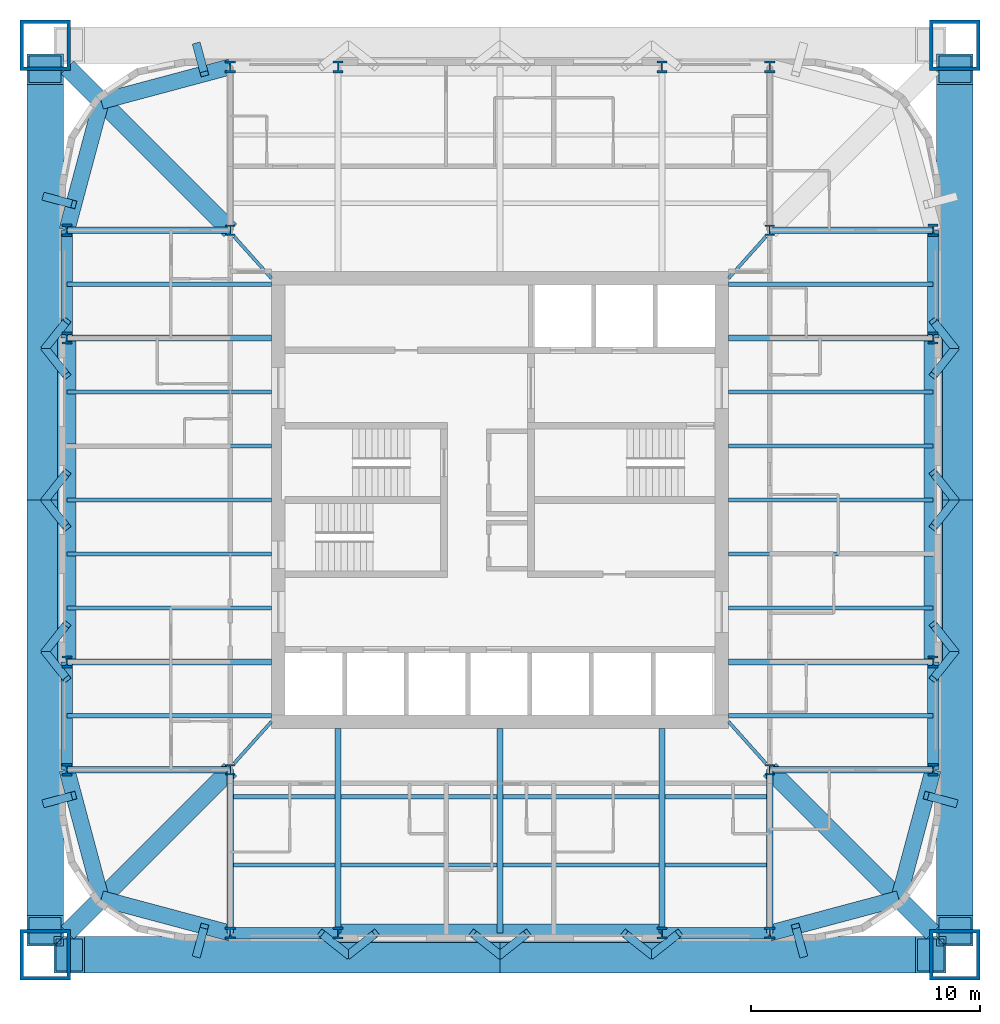
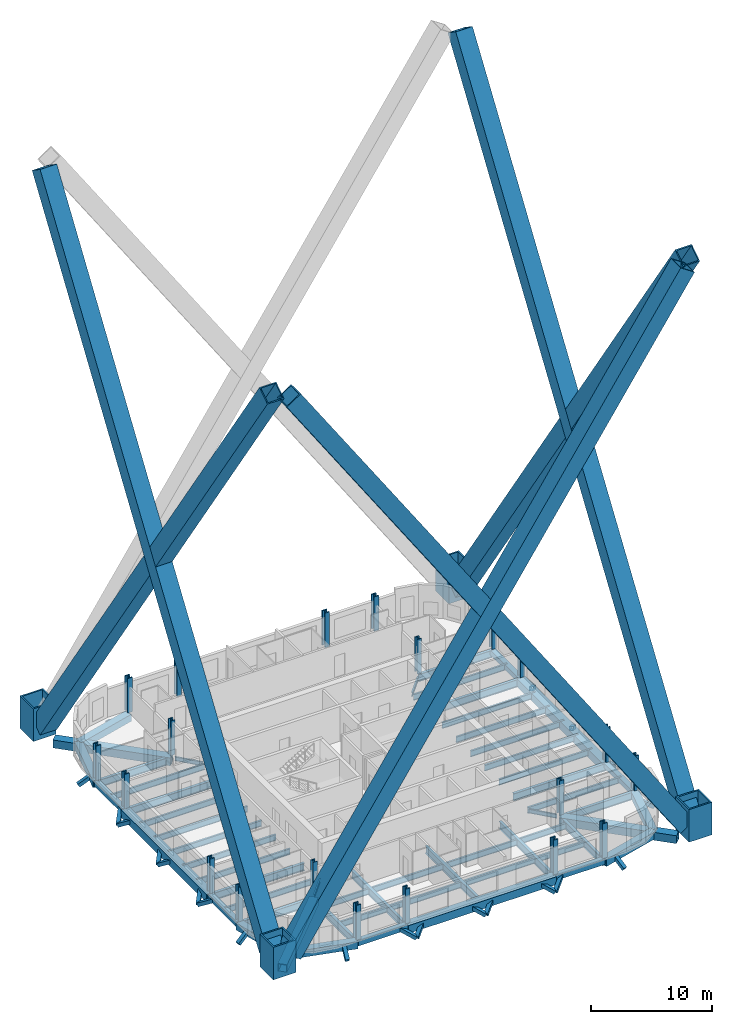
# One storey, part 1 of 9: 81 beams, 24 columns, 6 members.
"""IFC4 building model written with IfcOpenShell, lengths in metres."""

from ifc_helpers import new_model, si_unit, direction, frame, origin, origin_2d, place, context, subcontext, project, spatial, hollow_rectangle, i_section, extrude, clip, halfspace, material, material_profile, profile_set, type_object, element, save


model = new_model("IFC4")

# Units and contexts
model_context = context("Model", 3, precision=1e-05, world=origin(), true_north=direction((0.0, 1.0)))
body_context = subcontext(model_context, "Body", "Model", "MODEL_VIEW")
ifc_project = project(units=[si_unit("LENGTHUNIT", "METRE"), si_unit("AREAUNIT", "SQUARE_METRE"), si_unit("VOLUMEUNIT", "CUBIC_METRE"), si_unit("PLANEANGLEUNIT", "RADIAN"), si_unit("MASSUNIT", "GRAM", prefix="KILO")], contexts=[model_context])

# Site, building, storey
site_placement = place(None, origin())
site = spatial("IfcSite", under=ifc_project, at=site_placement, CompositionType="ELEMENT")
building_placement = place(site_placement, origin())
building = spatial("IfcBuilding", under=site, at=building_placement, Name="Turquesa Mirador Hotel Tower", CompositionType="ELEMENT")
storey_placement = place(building_placement, frame((0.0, 0.0, 161.800048828125)))
storey = spatial("IfcBuildingStorey", under=building, at=storey_placement, Name="L43", CompositionType="ELEMENT", Elevation=161.800048828125)

# Columns
ifc_material_1 = material(Name="Steel ASTM A992 Grade 50", Category="steel")
ifc_material_profile_1 = material_profile(ifc_material_1, i_section(OverallWidth=0.421630859375, OverallDepth=0.46484375, WebThickness=0.044921875, FlangeThickness=0.072509765625, at=origin_2d()), Name="W14X398")
ifc_profile_set_1 = profile_set([ifc_material_profile_1], Name="Steel ASTM A992 Grade 50")
column_type_1 = type_object("IfcColumnType", Name="COLUMN W14X398", PredefinedType="COLUMN", material=ifc_profile_set_1)
for number, where, z_axis, x_axis, name in (
    (1, (43.199951171875, 33.199951171875, 0.0), (0.0, 0.0, 1.0), (1.0, 0.0, 0.0), "COL-L43-K--11.80--11.80"),
    (2, (43.199951171875, 56.800048828125, 0.0), (0.0, 0.0, 1.0), (1.0, 0.0, 0.0), "COL-L43-K--11.80-+11.80"),
    (3, (66.800048828125, 33.199951171875, 0.0), (0.0, 0.0, 1.0), (1.0, 0.0, 0.0), "COL-L43-K-+11.80--11.80"),
    (4, (66.800048828125, 56.800048828125, 0.0), (0.0, 0.0, 1.0), (1.0, 0.0, 0.0), "COL-L43-K-+11.80-+11.80"),
):
    element("IfcColumn", number, at=place(storey_placement, frame(where, z_axis=z_axis, x_axis=x_axis)), inside=storey, type_object=column_type_1, Name=name, PredefinedType="COLUMN", context=body_context, shape_type="SweptSolid", body=[
        extrude(i_section(OverallWidth=0.421630859375, OverallDepth=0.46484375, WebThickness=0.044921875, FlangeThickness=0.072509765625, at=origin_2d()), origin(), (0.0, 0.0, 1.0), 3.5),
    ])
ifc_material_2 = material(Name="Steel ASTM A992 Grade 50", Category="steel")
ifc_material_profile_2 = material_profile(ifc_material_2, i_section(OverallWidth=0.44189453125, OverallDepth=0.53076171875, WebThickness=0.06591796875, FlangeThickness=0.105712890625, at=origin_2d()), Name="W14X605")
ifc_profile_set_2 = profile_set([ifc_material_profile_2], Name="Steel ASTM A992 Grade 50")
column_type_2 = type_object("IfcColumnType", Name="COLUMN W14X605", PredefinedType="COLUMN", material=ifc_profile_set_2)
for number, where, z_axis, x_axis, name in (
    (5, (36.050048828125, 33.199951171875, 0.0), (0.0, 0.0, 1.0), (1.0, 0.0, 0.0), "COL-L43-P--18.95--11.80"),
    (6, (36.050048828125, 37.919921875, 0.0), (0.0, 0.0, 1.0), (1.0, 0.0, 0.0), "COL-L43-P--18.95--7.08"),
    (7, (36.050048828125, 52.080078125, 0.0), (0.0, 0.0, 1.0), (1.0, 0.0, 0.0), "COL-L43-P--18.95-+7.08"),
    (8, (36.050048828125, 56.800048828125, 0.0), (0.0, 0.0, 1.0), (1.0, 0.0, 0.0), "COL-L43-P--18.95-+11.80"),
    (9, (43.199951171875, 26.050048828125, 0.0), (0.0, 0.0, 1.0), (1.0, 0.0, 0.0), "COL-L43-P--11.80--18.95"),
    (10, (43.199951171875, 63.949951171875, 0.0), (0.0, 0.0, 1.0), (1.0, 0.0, 0.0), "COL-L43-P--11.80-+18.95"),
    (11, (47.919921875, 26.050048828125, 0.0), (0.0, 0.0, 1.0), (1.0, 0.0, 0.0), "COL-L43-P--7.08--18.95"),
    (12, (47.919921875, 63.949951171875, 0.0), (0.0, 0.0, 1.0), (1.0, 0.0, 0.0), "COL-L43-P--7.08-+18.95"),
    (13, (62.080078125, 26.050048828125, 0.0), (0.0, 0.0, 1.0), (1.0, 0.0, 0.0), "COL-L43-P-+7.08--18.95"),
    (14, (62.080078125, 63.949951171875, 0.0), (0.0, 0.0, 1.0), (1.0, 0.0, 0.0), "COL-L43-P-+7.08-+18.95"),
    (15, (66.800048828125, 26.050048828125, 0.0), (0.0, 0.0, 1.0), (1.0, 0.0, 0.0), "COL-L43-P-+11.80--18.95"),
    (16, (66.800048828125, 63.949951171875, 0.0), (0.0, 0.0, 1.0), (1.0, 0.0, 0.0), "COL-L43-P-+11.80-+18.95"),
    (17, (73.949951171875, 33.199951171875, 0.0), (0.0, 0.0, 1.0), (1.0, 0.0, 0.0), "COL-L43-P-+18.95--11.80"),
    (18, (73.949951171875, 37.919921875, 0.0), (0.0, 0.0, 1.0), (1.0, 0.0, 0.0), "COL-L43-P-+18.95--7.08"),
    (19, (73.949951171875, 52.080078125, 0.0), (0.0, 0.0, 1.0), (1.0, 0.0, 0.0), "COL-L43-P-+18.95-+7.08"),
    (20, (73.949951171875, 56.800048828125, 0.0), (0.0, 0.0, 1.0), (1.0, 0.0, 0.0), "COL-L43-P-+18.95-+11.80"),
):
    element("IfcColumn", number, at=place(storey_placement, frame(where, z_axis=z_axis, x_axis=x_axis)), inside=storey, type_object=column_type_2, Name=name, PredefinedType="COLUMN", context=body_context, shape_type="SweptSolid", body=[
        extrude(i_section(OverallWidth=0.44189453125, OverallDepth=0.53076171875, WebThickness=0.06591796875, FlangeThickness=0.105712890625, at=origin_2d()), origin(), (0.0, 0.0, 1.0), 3.5),
    ])
ifc_material_3 = material(Name="Steel ASTM A514 Grade Q", Category="steel")
ifc_material_profile_3 = material_profile(ifc_material_3, hollow_rectangle(XDim=2.199951171875, YDim=2.199951171875, WallThickness=0.14990234375, at=origin_2d()), Name="BOX2200X2200X150")
ifc_profile_set_3 = profile_set([ifc_material_profile_3], Name="Steel ASTM A514 Grade Q")
column_type_3 = type_object("IfcColumnType", Name="MEGA COLUMN BOX2200X2200X150", PredefinedType="COLUMN", material=ifc_profile_set_3)
for number, where, z_axis, x_axis, name in (
    (21, (74.89990234375, 64.89990234375, 0.0), (0.0, 0.0, 1.0), (1.0, 0.0, 0.0), "Mega column M1"),
    (22, (35.10009765625, 64.89990234375, 0.0), (0.0, 0.0, 1.0), (1.0, 0.0, 0.0), "Mega column M2"),
    (23, (35.10009765625, 25.10009765625, 0.0), (0.0, 0.0, 1.0), (1.0, 0.0, 0.0), "Mega column M3"),
    (24, (74.89990234375, 25.10009765625, 0.0), (0.0, 0.0, 1.0), (1.0, 0.0, 0.0), "Mega column M4"),
):
    element("IfcColumn", number, at=place(storey_placement, frame(where, z_axis=z_axis, x_axis=x_axis)), inside=storey, type_object=column_type_3, Name=name, PredefinedType="COLUMN", context=body_context, shape_type="Clipping", body=[
        clip(extrude(hollow_rectangle(XDim=2.199951171875, YDim=2.199951171875, WallThickness=0.14990234375, at=origin_2d()), origin(), (0.0, 0.0, 1.0), 3.5), halfspace(frame((0.0, 0.0, 0.20166015625), z_axis=(0.0, 0.0, -1.0), x_axis=(1.0, 0.0, 0.0)), False)),
    ])

# Beams
ifc_material_4 = material(Name="Steel ASTM A572 Grade 50", Category="steel")
ifc_material_profile_4 = material_profile(ifc_material_4, hollow_rectangle(XDim=0.5, YDim=0.5, WallThickness=0.031982421875, at=origin_2d()), Name="BOX500X500X32")
ifc_profile_set_4 = profile_set([ifc_material_profile_4], Name="Steel ASTM A572 Grade 50")
beam_type_1 = type_object("IfcBeamType", Name="BEAM BOX500X500X32", PredefinedType="BEAM", material=ifc_profile_set_4)
for number, where, z_axis, x_axis, name in (
    (25, (43.199951171875, 26.050048828125, -0.420166015625), (1.0, 0.0, 0.0), (0.0, 1.0, 0.0), "EB-L43-S-L"),
    (26, (62.080078125, 26.050048828125, -0.420166015625), (1.0, 0.0, 0.0), (0.0, 1.0, 0.0), "EB-L43-S-R"),
    (27, (73.949951171875, 33.199951171875, -0.420166015625), (0.0, 1.0, 0.0), (-1.0, 0.0, 0.0), "EB-L43-E-L"),
    (28, (73.949951171875, 52.080078125, -0.420166015625), (0.0, 1.0, 0.0), (-1.0, 0.0, 0.0), "EB-L43-E-R"),
    (29, (36.050048828125, 33.199951171875, -0.420166015625), (0.0, 1.0, 0.0), (-1.0, 0.0, 0.0), "EB-L43-W-L"),
    (30, (36.050048828125, 52.080078125, -0.420166015625), (0.0, 1.0, 0.0), (-1.0, 0.0, 0.0), "EB-L43-W-R"),
):
    element("IfcBeam", number, at=place(storey_placement, frame(where, z_axis=z_axis, x_axis=x_axis)), inside=storey, type_object=beam_type_1, Name=name, PredefinedType="BEAM", context=body_context, shape_type="SweptSolid", body=[
        extrude(hollow_rectangle(XDim=0.5, YDim=0.5, WallThickness=0.031982421875, at=origin_2d()), origin(), (0.0, 0.0, 1.0), 4.719970703125),
    ])
ifc_material_5 = material(Name="Steel ASTM A572 Grade 50", Category="steel")
ifc_material_profile_5 = material_profile(ifc_material_5, hollow_rectangle(XDim=0.699951171875, YDim=0.699951171875, WallThickness=0.044921875, at=origin_2d()), Name="BOX700X700X45")
ifc_profile_set_5 = profile_set([ifc_material_profile_5], Name="Steel ASTM A572 Grade 50")
beam_type_2 = type_object("IfcBeamType", Name="BEAM BOX700X700X45", PredefinedType="BEAM", material=ifc_profile_set_5)
for number, where, z_axis, x_axis, name in (
    (31, (36.050048828125, 56.800048828125, -0.52001953125), (0.258281892145, 0.966069595935, 0.0), (-0.966069595935, 0.258281892145, 0.0), "KE-L43-2-0"),
    (32, (37.558349609375, 62.441650390625, -0.52001953125), (0.966069595935, 0.258281892145, 0.0), (-0.258281892145, 0.966069595935, 0.0), "KE-L43-2-1"),
    (33, (36.050048828125, 33.199951171875, -0.52001953125), (0.258281892145, -0.966069595935, 0.0), (0.966069595935, 0.258281892145, 0.0), "KE-L43-3-0"),
    (34, (37.558349609375, 27.558349609375, -0.52001953125), (0.966069595935, -0.258281892145, 0.0), (0.258281892145, 0.966069595935, 0.0), "KE-L43-3-1"),
    (35, (73.949951171875, 33.199951171875, -0.52001953125), (-0.258281892145, -0.966069595935, 0.0), (0.966069595935, -0.258281892145, 0.0), "KE-L43-4-0"),
    (36, (72.441650390625, 27.558349609375, -0.52001953125), (-0.966069595935, -0.258281892145, 0.0), (0.258281892145, -0.966069595935, 0.0), "KE-L43-4-1"),
):
    element("IfcBeam", number, at=place(storey_placement, frame(where, z_axis=z_axis, x_axis=x_axis)), inside=storey, type_object=beam_type_2, Name=name, PredefinedType="BEAM", context=body_context, shape_type="SweptSolid", body=[
        extrude(hollow_rectangle(XDim=0.699951171875, YDim=0.699951171875, WallThickness=0.044921875, at=origin_2d()), origin(), (0.0, 0.0, 1.0), 5.83984375),
    ])
ifc_material_6 = material(Name="Steel ASTM A572 Grade 50", Category="steel")
ifc_material_profile_6 = material_profile(ifc_material_6, hollow_rectangle(XDim=0.800048828125, YDim=0.800048828125, WallThickness=0.030029296875, at=origin_2d()), Name="BOX800X800X30")
ifc_profile_set_6 = profile_set([ifc_material_profile_6], Name="Steel ASTM A572 Grade 50")
beam_type_3 = type_object("IfcBeamType", Name="BEAM BOX800X800X30", PredefinedType="BEAM", material=ifc_profile_set_6)
for number, where, z_axis, x_axis, name in (
    (37, (47.919921875, 26.050048828125, -0.570068359375), (1.0, 0.0, 0.0), (0.0, 1.0, 0.0), "EB-L43-S-C"),
    (38, (73.949951171875, 37.919921875, -0.570068359375), (0.0, 1.0, 0.0), (-1.0, 0.0, 0.0), "EB-L43-E-C"),
    (39, (36.050048828125, 37.919921875, -0.570068359375), (0.0, 1.0, 0.0), (-1.0, 0.0, 0.0), "EB-L43-W-C"),
):
    element("IfcBeam", number, at=place(storey_placement, frame(where, z_axis=z_axis, x_axis=x_axis)), inside=storey, type_object=beam_type_3, Name=name, PredefinedType="BEAM", context=body_context, shape_type="SweptSolid", body=[
        extrude(hollow_rectangle(XDim=0.800048828125, YDim=0.800048828125, WallThickness=0.030029296875, at=origin_2d()), origin(), (0.0, 0.0, 1.0), 14.16015625),
    ])
ifc_material_7 = material(Name="Steel ASTM A572 Grade 50", Category="steel")
ifc_material_profile_7 = material_profile(ifc_material_7, hollow_rectangle(XDim=0.800048828125, YDim=0.800048828125, WallThickness=0.050048828125, at=origin_2d()), Name="BOX800X800X50")
ifc_profile_set_7 = profile_set([ifc_material_profile_7], Name="Steel ASTM A572 Grade 50")
beam_type_4 = type_object("IfcBeamType", Name="BEAM BOX800X800X50", PredefinedType="BEAM", material=ifc_profile_set_7)
for number, where, z_axis, x_axis, name in (
    (40, (43.199951171875, 56.800048828125, -0.570068359375), (-0.707106781187, 0.707106781187, 0.0), (-0.707106781187, -0.707106781187, 0.0), "KD-L43-2"),
    (41, (43.199951171875, 33.199951171875, -0.570068359375), (-0.707106781187, -0.707106781187, 0.0), (0.707106781187, -0.707106781187, 0.0), "KD-L43-3"),
    (42, (66.800048828125, 33.199951171875, -0.570068359375), (0.707106781187, -0.707106781187, 0.0), (0.707106781187, 0.707106781187, 0.0), "KD-L43-4"),
):
    element("IfcBeam", number, at=place(storey_placement, frame(where, z_axis=z_axis, x_axis=x_axis)), inside=storey, type_object=beam_type_4, Name=name, PredefinedType="BEAM", context=body_context, shape_type="SweptSolid", body=[
        extrude(hollow_rectangle(XDim=0.800048828125, YDim=0.800048828125, WallThickness=0.050048828125, at=origin_2d()), origin(), (0.0, 0.0, 1.0), 10.080322265625),
    ])
ifc_material_8 = material(Name="Steel ASTM A992 Grade 50", Category="steel")
ifc_material_profile_8 = material_profile(ifc_material_8, i_section(OverallWidth=0.140380859375, OverallDepth=0.40380859375, WebThickness=0.007080078125, FlangeThickness=0.01123046875, at=origin_2d()), Name="W16X31")
ifc_profile_set_8 = profile_set([ifc_material_profile_8], Name="Steel ASTM A992 Grade 50")
beam_type_5 = type_object("IfcBeamType", Name="BEAM W16X31", PredefinedType="BEAM", material=ifc_profile_set_8)
for number, where, z_axis, x_axis, name in (
    (43, (66.634765625, 56.527099609375, -0.3720703125), (-0.666783216266, -0.745251730964, 0.0), (0.745251730964, -0.666783216266, 0.0), "KT-L43-1"),
    (44, (43.365234375, 56.527099609375, -0.3720703125), (0.666783216266, -0.745251730964, 0.0), (0.745251730964, 0.666783216266, 0.0), "KT-L43-2"),
    (45, (43.365234375, 33.472900390625, -0.3720703125), (0.666783216266, 0.745251730964, 0.0), (-0.745251730964, 0.666783216266, 0.0), "KT-L43-3"),
    (46, (66.634765625, 33.472900390625, -0.3720703125), (-0.666783216266, 0.745251730964, 0.0), (-0.745251730964, -0.666783216266, 0.0), "KT-L43-4"),
):
    element("IfcBeam", number, at=place(storey_placement, frame(where, z_axis=z_axis, x_axis=x_axis)), inside=storey, type_object=beam_type_5, Name=name, PredefinedType="BEAM", context=body_context, shape_type="SweptSolid", body=[
        extrude(i_section(OverallWidth=0.140380859375, OverallDepth=0.40380859375, WebThickness=0.007080078125, FlangeThickness=0.01123046875, at=origin_2d()), origin(), (0.0, 0.0, 1.0), 2.45166015625),
    ])
ifc_material_9 = material(Name="Steel ASTM A992 Grade 50", Category="steel")
ifc_material_profile_9 = material_profile(ifc_material_9, i_section(OverallWidth=0.177978515625, OverallDepth=0.599365234375, WebThickness=0.010009765625, FlangeThickness=0.012939453125, at=origin_2d()), Name="W24X55")
ifc_profile_set_9 = profile_set([ifc_material_profile_9], Name="Steel ASTM A992 Grade 50")
beam_type_6 = type_object("IfcBeamType", Name="BEAM W24X55", PredefinedType="BEAM", material=ifc_profile_set_9)
beam_1_placement = place(storey_placement, frame((43.333251953125, 32.01708984375, -0.4697265625), z_axis=(1.0, 0.0, 0.0), x_axis=(0.0, 1.0, 0.0)))
element("IfcBeam", 47, at=beam_1_placement, inside=storey, type_object=beam_type_6, Name="IB-L43-S-1-0", PredefinedType="BEAM", context=body_context, shape_type="SweptSolid", body=[
    extrude(i_section(OverallWidth=0.177978515625, OverallDepth=0.599365234375, WebThickness=0.010009765625, FlangeThickness=0.012939453125, at=origin_2d()), origin(), (0.0, 0.0, 1.0), 4.453369140625),
])
for number, where, z_axis, x_axis, name in (
    (48, (48.053466796875, 32.01708984375, -0.4697265625), (1.0, 0.0, 0.0), (0.0, 1.0, 0.0), "IB-L43-S-1-1"),
    (49, (55.13330078125, 32.01708984375, -0.4697265625), (1.0, 0.0, 0.0), (0.0, 1.0, 0.0), "IB-L43-S-1-2"),
):
    element("IfcBeam", number, at=place(storey_placement, frame(where, z_axis=z_axis, x_axis=x_axis)), inside=storey, type_object=beam_type_6, Name=name, PredefinedType="BEAM", context=body_context, shape_type="SweptSolid", body=[
        extrude(i_section(OverallWidth=0.177978515625, OverallDepth=0.599365234375, WebThickness=0.010009765625, FlangeThickness=0.012939453125, at=origin_2d()), origin(), (0.0, 0.0, 1.0), 6.813232421875),
    ])
for number, where, z_axis, x_axis, name in (
    (50, (62.21337890625, 32.01708984375, -0.4697265625), (1.0, 0.0, 0.0), (0.0, 1.0, 0.0), "IB-L43-S-1-3"),
    (51, (43.333251953125, 29.032958984375, -0.4697265625), (1.0, 0.0, 0.0), (0.0, 1.0, 0.0), "IB-L43-S-2-0"),
):
    element("IfcBeam", number, at=place(storey_placement, frame(where, z_axis=z_axis, x_axis=x_axis)), inside=storey, type_object=beam_type_6, Name=name, PredefinedType="BEAM", context=body_context, shape_type="SweptSolid", body=[
        extrude(i_section(OverallWidth=0.177978515625, OverallDepth=0.599365234375, WebThickness=0.010009765625, FlangeThickness=0.012939453125, at=origin_2d()), origin(), (0.0, 0.0, 1.0), 4.453369140625),
    ])
for number, where, z_axis, x_axis, name in (
    (52, (48.053466796875, 29.032958984375, -0.4697265625), (1.0, 0.0, 0.0), (0.0, 1.0, 0.0), "IB-L43-S-2-1"),
    (53, (55.13330078125, 29.032958984375, -0.4697265625), (1.0, 0.0, 0.0), (0.0, 1.0, 0.0), "IB-L43-S-2-2"),
):
    element("IfcBeam", number, at=place(storey_placement, frame(where, z_axis=z_axis, x_axis=x_axis)), inside=storey, type_object=beam_type_6, Name=name, PredefinedType="BEAM", context=body_context, shape_type="SweptSolid", body=[
        extrude(i_section(OverallWidth=0.177978515625, OverallDepth=0.599365234375, WebThickness=0.010009765625, FlangeThickness=0.012939453125, at=origin_2d()), origin(), (0.0, 0.0, 1.0), 6.813232421875),
    ])
beam_2_placement = place(storey_placement, frame((62.21337890625, 29.032958984375, -0.4697265625), z_axis=(1.0, 0.0, 0.0), x_axis=(0.0, 1.0, 0.0)))
element("IfcBeam", 54, at=beam_2_placement, inside=storey, type_object=beam_type_6, Name="IB-L43-S-2-3", PredefinedType="BEAM", context=body_context, shape_type="SweptSolid", body=[
    extrude(i_section(OverallWidth=0.177978515625, OverallDepth=0.599365234375, WebThickness=0.010009765625, FlangeThickness=0.012939453125, at=origin_2d()), origin(), (0.0, 0.0, 1.0), 4.453369140625),
])
for number, where, z_axis, x_axis, name in (
    (55, (73.949951171875, 35.56005859375, -0.4697265625), (-1.0, 0.0, 0.0), (0.0, -1.0, 0.0), "BM-L43-E--9.44"),
    (56, (73.949951171875, 40.280029296875, -0.4697265625), (-1.0, 0.0, 0.0), (0.0, -1.0, 0.0), "BM-L43-E--4.72"),
    (57, (73.949951171875, 42.639892578125, -0.4697265625), (-1.0, 0.0, 0.0), (0.0, -1.0, 0.0), "BM-L43-E--2.36"),
    (58, (73.949951171875, 45.0, -0.4697265625), (-1.0, 0.0, 0.0), (0.0, -1.0, 0.0), "BM-L43-E-+0.00"),
    (59, (73.949951171875, 47.360107421875, -0.4697265625), (-1.0, 0.0, 0.0), (0.0, -1.0, 0.0), "BM-L43-E-+2.36"),
    (60, (73.949951171875, 49.719970703125, -0.4697265625), (-1.0, 0.0, 0.0), (0.0, -1.0, 0.0), "BM-L43-E-+4.72"),
    (61, (73.949951171875, 54.43994140625, -0.4697265625), (-1.0, 0.0, 0.0), (0.0, -1.0, 0.0), "BM-L43-E-+9.44"),
    (62, (36.050048828125, 35.56005859375, -0.4697265625), (1.0, 0.0, 0.0), (0.0, 1.0, 0.0), "BM-L43-W--9.44"),
    (63, (36.050048828125, 40.280029296875, -0.4697265625), (1.0, 0.0, 0.0), (0.0, 1.0, 0.0), "BM-L43-W--4.72"),
    (64, (36.050048828125, 42.639892578125, -0.4697265625), (1.0, 0.0, 0.0), (0.0, 1.0, 0.0), "BM-L43-W--2.36"),
    (65, (36.050048828125, 45.0, -0.4697265625), (1.0, 0.0, 0.0), (0.0, 1.0, 0.0), "BM-L43-W-+0.00"),
    (66, (36.050048828125, 47.360107421875, -0.4697265625), (1.0, 0.0, 0.0), (0.0, 1.0, 0.0), "BM-L43-W-+2.36"),
    (67, (36.050048828125, 49.719970703125, -0.4697265625), (1.0, 0.0, 0.0), (0.0, 1.0, 0.0), "BM-L43-W-+4.72"),
    (68, (36.050048828125, 54.43994140625, -0.4697265625), (1.0, 0.0, 0.0), (0.0, 1.0, 0.0), "BM-L43-W-+9.44"),
):
    element("IfcBeam", number, at=place(storey_placement, frame(where, z_axis=z_axis, x_axis=x_axis)), inside=storey, type_object=beam_type_6, Name=name, PredefinedType="BEAM", context=body_context, shape_type="SweptSolid", body=[
        extrude(i_section(OverallWidth=0.177978515625, OverallDepth=0.599365234375, WebThickness=0.010009765625, FlangeThickness=0.012939453125, at=origin_2d()), origin(), (0.0, 0.0, 1.0), 8.949951171875),
    ])
ifc_material_10 = material(Name="Steel ASTM A992 Grade 50", Category="steel")
ifc_material_profile_10 = material_profile(ifc_material_10, i_section(OverallWidth=0.2666015625, OverallDepth=0.7568359375, WebThickness=0.013916015625, FlangeThickness=0.019287109375, at=origin_2d()), Name="W30X108")
ifc_profile_set_10 = profile_set([ifc_material_profile_10], Name="Steel ASTM A992 Grade 50")
beam_type_7 = type_object("IfcBeamType", Name="BEAM W30X108", PredefinedType="BEAM", material=ifc_profile_set_10)
for number, where, z_axis, x_axis, name in (
    (69, (47.919921875, 26.050048828125, -0.548583984375), (0.0, 1.0, 0.0), (-1.0, 0.0, 0.0), "GD-L43-S--7.08"),
    (70, (62.080078125, 26.050048828125, -0.548583984375), (0.0, 1.0, 0.0), (-1.0, 0.0, 0.0), "GD-L43-S-+7.08"),
    (71, (55.0, 26.050048828125, -0.548583984375), (0.0, 1.0, 0.0), (-1.0, 0.0, 0.0), "GD-L43-S-+0.00"),
):
    element("IfcBeam", number, at=place(storey_placement, frame(where, z_axis=z_axis, x_axis=x_axis)), inside=storey, type_object=beam_type_7, Name=name, PredefinedType="BEAM", context=body_context, shape_type="SweptSolid", body=[
        extrude(i_section(OverallWidth=0.2666015625, OverallDepth=0.7568359375, WebThickness=0.013916015625, FlangeThickness=0.019287109375, at=origin_2d()), origin(), (0.0, 0.0, 1.0), 8.949951171875),
    ])
for number, where, z_axis, x_axis, name in (
    (72, (43.199951171875, 26.050048828125, -0.548583984375), (0.0, 1.0, 0.0), (-1.0, 0.0, 0.0), "GK-L43-S--11.80"),
    (73, (66.800048828125, 26.050048828125, -0.548583984375), (0.0, 1.0, 0.0), (-1.0, 0.0, 0.0), "GK-L43-S-+11.80"),
):
    element("IfcBeam", number, at=place(storey_placement, frame(where, z_axis=z_axis, x_axis=x_axis)), inside=storey, type_object=beam_type_7, Name=name, PredefinedType="BEAM", context=body_context, shape_type="SweptSolid", body=[
        extrude(i_section(OverallWidth=0.2666015625, OverallDepth=0.7568359375, WebThickness=0.013916015625, FlangeThickness=0.019287109375, at=origin_2d()), origin(), (0.0, 0.0, 1.0), 7.14990234375),
    ])
for number, where, z_axis, x_axis, name in (
    (74, (73.949951171875, 37.919921875, -0.548583984375), (-1.0, 0.0, 0.0), (0.0, -1.0, 0.0), "GD-L43-E--7.08"),
    (75, (73.949951171875, 52.080078125, -0.548583984375), (-1.0, 0.0, 0.0), (0.0, -1.0, 0.0), "GD-L43-E-+7.08"),
):
    element("IfcBeam", number, at=place(storey_placement, frame(where, z_axis=z_axis, x_axis=x_axis)), inside=storey, type_object=beam_type_7, Name=name, PredefinedType="BEAM", context=body_context, shape_type="SweptSolid", body=[
        extrude(i_section(OverallWidth=0.2666015625, OverallDepth=0.7568359375, WebThickness=0.013916015625, FlangeThickness=0.019287109375, at=origin_2d()), origin(), (0.0, 0.0, 1.0), 8.949951171875),
    ])
for number, where, z_axis, x_axis, name in (
    (76, (73.949951171875, 33.199951171875, -0.548583984375), (-1.0, 0.0, 0.0), (0.0, -1.0, 0.0), "GK-L43-E--11.80"),
    (77, (73.949951171875, 56.800048828125, -0.548583984375), (-1.0, 0.0, 0.0), (0.0, -1.0, 0.0), "GK-L43-E-+11.80"),
):
    element("IfcBeam", number, at=place(storey_placement, frame(where, z_axis=z_axis, x_axis=x_axis)), inside=storey, type_object=beam_type_7, Name=name, PredefinedType="BEAM", context=body_context, shape_type="SweptSolid", body=[
        extrude(i_section(OverallWidth=0.2666015625, OverallDepth=0.7568359375, WebThickness=0.013916015625, FlangeThickness=0.019287109375, at=origin_2d()), origin(), (0.0, 0.0, 1.0), 7.14990234375),
    ])
for number, where, z_axis, x_axis, name in (
    (78, (36.050048828125, 37.919921875, -0.548583984375), (1.0, 0.0, 0.0), (0.0, 1.0, 0.0), "GD-L43-W--7.08"),
    (79, (36.050048828125, 52.080078125, -0.548583984375), (1.0, 0.0, 0.0), (0.0, 1.0, 0.0), "GD-L43-W-+7.08"),
):
    element("IfcBeam", number, at=place(storey_placement, frame(where, z_axis=z_axis, x_axis=x_axis)), inside=storey, type_object=beam_type_7, Name=name, PredefinedType="BEAM", context=body_context, shape_type="SweptSolid", body=[
        extrude(i_section(OverallWidth=0.2666015625, OverallDepth=0.7568359375, WebThickness=0.013916015625, FlangeThickness=0.019287109375, at=origin_2d()), origin(), (0.0, 0.0, 1.0), 8.949951171875),
    ])
for number, where, z_axis, x_axis, name in (
    (80, (36.050048828125, 33.199951171875, -0.548583984375), (1.0, 0.0, 0.0), (0.0, 1.0, 0.0), "GK-L43-W--11.80"),
    (81, (36.050048828125, 56.800048828125, -0.548583984375), (1.0, 0.0, 0.0), (0.0, 1.0, 0.0), "GK-L43-W-+11.80"),
):
    element("IfcBeam", number, at=place(storey_placement, frame(where, z_axis=z_axis, x_axis=x_axis)), inside=storey, type_object=beam_type_7, Name=name, PredefinedType="BEAM", context=body_context, shape_type="SweptSolid", body=[
        extrude(i_section(OverallWidth=0.2666015625, OverallDepth=0.7568359375, WebThickness=0.013916015625, FlangeThickness=0.019287109375, at=origin_2d()), origin(), (0.0, 0.0, 1.0), 7.14990234375),
    ])
ifc_material_11 = material(Name="Steel ASTM A500 Grade C", Category="steel")
ifc_material_profile_11 = material_profile(ifc_material_11, hollow_rectangle(XDim=0.355712890625, YDim=0.355712890625, WallThickness=0.0146484375, at=origin_2d()), Name="HSS14X14X5/8")
ifc_profile_set_11 = profile_set([ifc_material_profile_11], Name="Steel ASTM A500 Grade C")
beam_type_8 = type_object("IfcBeamType", Name="BRACE STRUT HSS14X14X5/8", PredefinedType="BEAM", material=ifc_profile_set_11)
for number, where, z_axis, x_axis, name in (
    (82, (41.7333984375, 64.89990234375, -1.199951171875), (0.215910750343, -0.807304773513, 0.549219036951), (0.966047151782, 0.258365826948, 0.0), "Brace strut"),
    (83, (41.7333984375, 25.10009765625, -1.199951171875), (0.215910750343, 0.807304773513, 0.549219036951), (-0.966047151782, 0.258365826948, 0.0), "Brace strut"),
):
    element("IfcBeam", number, at=place(storey_placement, frame(where, z_axis=z_axis, x_axis=x_axis)), inside=storey, type_object=beam_type_8, Name=name, PredefinedType="BEAM", context=body_context, shape_type="SweptSolid", body=[
        extrude(hollow_rectangle(XDim=0.355712890625, YDim=0.355712890625, WallThickness=0.0146484375, at=origin_2d()), origin(), (0.0, 0.0, 1.0), 1.55126953125),
    ])
for number, where, z_axis, x_axis, name in (
    (84, (48.36669921875, 25.10009765625, -1.199951171875), (-0.685040169882, 0.542317660429, 0.486427302724), (-0.620698858423, -0.784049059149, 0.0), "Brace strut"),
    (85, (48.36669921875, 25.10009765625, -1.199951171875), (0.685040169882, 0.542317660429, 0.486427302724), (-0.620698858423, 0.784049059149, 0.0), "Brace strut"),
    (86, (55.0, 25.10009765625, -1.199951171875), (-0.685040169882, 0.542317660429, 0.486427302724), (-0.620698858423, -0.784049059149, 0.0), "Brace strut"),
    (87, (55.0, 25.10009765625, -1.199951171875), (0.685040169882, 0.542317660429, 0.486427302724), (-0.620698858423, 0.784049059149, 0.0), "Brace strut"),
    (88, (61.63330078125, 25.10009765625, -1.199951171875), (-0.685040169882, 0.542317660429, 0.486427302724), (-0.620698858423, -0.784049059149, 0.0), "Brace strut"),
    (89, (61.63330078125, 25.10009765625, -1.199951171875), (0.685040169882, 0.542317660429, 0.486427302724), (-0.620698858423, 0.784049059149, 0.0), "Brace strut"),
):
    element("IfcBeam", number, at=place(storey_placement, frame(where, z_axis=z_axis, x_axis=x_axis)), inside=storey, type_object=beam_type_8, Name=name, PredefinedType="BEAM", context=body_context, shape_type="SweptSolid", body=[
        extrude(hollow_rectangle(XDim=0.355712890625, YDim=0.355712890625, WallThickness=0.0146484375, at=origin_2d()), origin(), (0.0, 0.0, 1.0), 1.751708984375),
    ])
for number, where, z_axis, x_axis, name in (
    (90, (68.2666015625, 25.10009765625, -1.199951171875), (-0.215910750343, 0.807304773513, 0.549219036951), (-0.966047151782, -0.258365826948, 0.0), "Brace strut"),
    (91, (74.89990234375, 31.7333984375, -1.199951171875), (-0.807304773513, 0.215910750343, 0.549219036951), (-0.258365826948, -0.966047151782, 0.0), "Brace strut"),
):
    element("IfcBeam", number, at=place(storey_placement, frame(where, z_axis=z_axis, x_axis=x_axis)), inside=storey, type_object=beam_type_8, Name=name, PredefinedType="BEAM", context=body_context, shape_type="SweptSolid", body=[
        extrude(hollow_rectangle(XDim=0.355712890625, YDim=0.355712890625, WallThickness=0.0146484375, at=origin_2d()), origin(), (0.0, 0.0, 1.0), 1.55126953125),
    ])
for number, where, z_axis, x_axis, name in (
    (92, (74.89990234375, 38.36669921875, -1.199951171875), (-0.542317660429, -0.685040169882, 0.486427302724), (0.784049059149, -0.620698858423, 0.0), "Brace strut"),
    (93, (74.89990234375, 38.36669921875, -1.199951171875), (-0.542317660429, 0.685040169882, 0.486427302724), (-0.784049059149, -0.620698858423, 0.0), "Brace strut"),
    (94, (74.89990234375, 45.0, -1.199951171875), (-0.542317660429, -0.685040169882, 0.486427302724), (0.784049059149, -0.620698858423, 0.0), "Brace strut"),
    (95, (74.89990234375, 45.0, -1.199951171875), (-0.542317660429, 0.685040169882, 0.486427302724), (-0.784049059149, -0.620698858423, 0.0), "Brace strut"),
    (96, (74.89990234375, 51.63330078125, -1.199951171875), (-0.542317660429, -0.685040169882, 0.486427302724), (0.784049059149, -0.620698858423, 0.0), "Brace strut"),
    (97, (74.89990234375, 51.63330078125, -1.199951171875), (-0.542317660429, 0.685040169882, 0.486427302724), (-0.784049059149, -0.620698858423, 0.0), "Brace strut"),
):
    element("IfcBeam", number, at=place(storey_placement, frame(where, z_axis=z_axis, x_axis=x_axis)), inside=storey, type_object=beam_type_8, Name=name, PredefinedType="BEAM", context=body_context, shape_type="SweptSolid", body=[
        extrude(hollow_rectangle(XDim=0.355712890625, YDim=0.355712890625, WallThickness=0.0146484375, at=origin_2d()), origin(), (0.0, 0.0, 1.0), 1.751708984375),
    ])
beam_3_placement = place(storey_placement, frame((35.10009765625, 31.7333984375, -1.199951171875), z_axis=(0.807304773513, 0.215910750343, 0.549219036951), x_axis=(-0.258365826948, 0.966047151782, 0.0)))
element("IfcBeam", 98, at=beam_3_placement, inside=storey, type_object=beam_type_8, Name="Brace strut", PredefinedType="BEAM", context=body_context, shape_type="SweptSolid", body=[
    extrude(hollow_rectangle(XDim=0.355712890625, YDim=0.355712890625, WallThickness=0.0146484375, at=origin_2d()), origin(), (0.0, 0.0, 1.0), 1.55126953125),
])
for number, where, z_axis, x_axis, name in (
    (99, (35.10009765625, 38.36669921875, -1.199951171875), (0.542317660429, -0.685040169882, 0.486427302724), (0.784049059149, 0.620698858423, 0.0), "Brace strut"),
    (100, (35.10009765625, 38.36669921875, -1.199951171875), (0.542317660429, 0.685040169882, 0.486427302724), (-0.784049059149, 0.620698858423, 0.0), "Brace strut"),
    (101, (35.10009765625, 45.0, -1.199951171875), (0.542317660429, -0.685040169882, 0.486427302724), (0.784049059149, 0.620698858423, 0.0), "Brace strut"),
    (102, (35.10009765625, 45.0, -1.199951171875), (0.542317660429, 0.685040169882, 0.486427302724), (-0.784049059149, 0.620698858423, 0.0), "Brace strut"),
    (103, (35.10009765625, 51.63330078125, -1.199951171875), (0.542317660429, -0.685040169882, 0.486427302724), (0.784049059149, 0.620698858423, 0.0), "Brace strut"),
    (104, (35.10009765625, 51.63330078125, -1.199951171875), (0.542317660429, 0.685040169882, 0.486427302724), (-0.784049059149, 0.620698858423, 0.0), "Brace strut"),
):
    element("IfcBeam", number, at=place(storey_placement, frame(where, z_axis=z_axis, x_axis=x_axis)), inside=storey, type_object=beam_type_8, Name=name, PredefinedType="BEAM", context=body_context, shape_type="SweptSolid", body=[
        extrude(hollow_rectangle(XDim=0.355712890625, YDim=0.355712890625, WallThickness=0.0146484375, at=origin_2d()), origin(), (0.0, 0.0, 1.0), 1.751708984375),
    ])
beam_4_placement = place(storey_placement, frame((35.10009765625, 58.2666015625, -1.199951171875), z_axis=(0.807304773513, -0.215910750343, 0.549219036951), x_axis=(0.258365826948, 0.966047151782, 0.0)))
element("IfcBeam", 105, at=beam_4_placement, inside=storey, type_object=beam_type_8, Name="Brace strut", PredefinedType="BEAM", context=body_context, shape_type="SweptSolid", body=[
    extrude(hollow_rectangle(XDim=0.355712890625, YDim=0.355712890625, WallThickness=0.0146484375, at=origin_2d()), origin(), (0.0, 0.0, 1.0), 1.55126953125),
])

# Members
ifc_material_12 = material(Name="Steel ASTM A572 Grade 50", Category="steel")
ifc_material_profile_12 = material_profile(ifc_material_12, hollow_rectangle(XDim=1.60009765625, YDim=1.60009765625, WallThickness=0.10009765625, at=origin_2d()), Name="BOX1600X1600X100")
ifc_profile_set_12 = profile_set([ifc_material_profile_12], Name="Steel ASTM A572 Grade 50")
member_type = type_object("IfcMemberType", Name="MEGA BRACE BOX1600X1600X100", PredefinedType="BRACE", material=ifc_profile_set_12)
for number, where, z_axis, x_axis, name in (
    (106, (36.14990234375, 25.10009765625, 1.569580078125), (0.555990726534, 0.0, 0.83118849367), (0.0, 1.0, 0.0), "Mega brace Z3 S 1"),
    (107, (73.85009765625, 25.10009765625, 1.569580078125), (-0.555990726534, 0.0, 0.83118849367), (0.0, -1.0, 0.0), "Mega brace Z3 S 2"),
    (108, (74.89990234375, 26.14990234375, 1.569580078125), (0.0, 0.555990726534, 0.83118849367), (-1.0, 0.0, 0.0), "Mega brace Z3 E 1"),
    (109, (74.89990234375, 63.85009765625, 1.569580078125), (0.0, -0.555990726534, 0.83118849367), (1.0, 0.0, 0.0), "Mega brace Z3 E 2"),
    (110, (35.10009765625, 26.14990234375, 1.569580078125), (0.0, 0.555990726534, 0.83118849367), (-1.0, 0.0, 0.0), "Mega brace Z3 W 1"),
    (111, (35.10009765625, 63.85009765625, 1.569580078125), (0.0, -0.555990726534, 0.83118849367), (1.0, 0.0, 0.0), "Mega brace Z3 W 2"),
):
    element("IfcMember", number, at=place(storey_placement, frame(where, z_axis=z_axis, x_axis=x_axis)), inside=storey, type_object=member_type, Name=name, PredefinedType="BRACE", context=body_context, shape_type="SweptSolid", body=[
        extrude(hollow_rectangle(XDim=1.60009765625, YDim=1.60009765625, WallThickness=0.10009765625, at=origin_2d()), origin(), (0.0, 0.0, 1.0), 67.80712890625),
    ])

save(model, "model.ifc")
